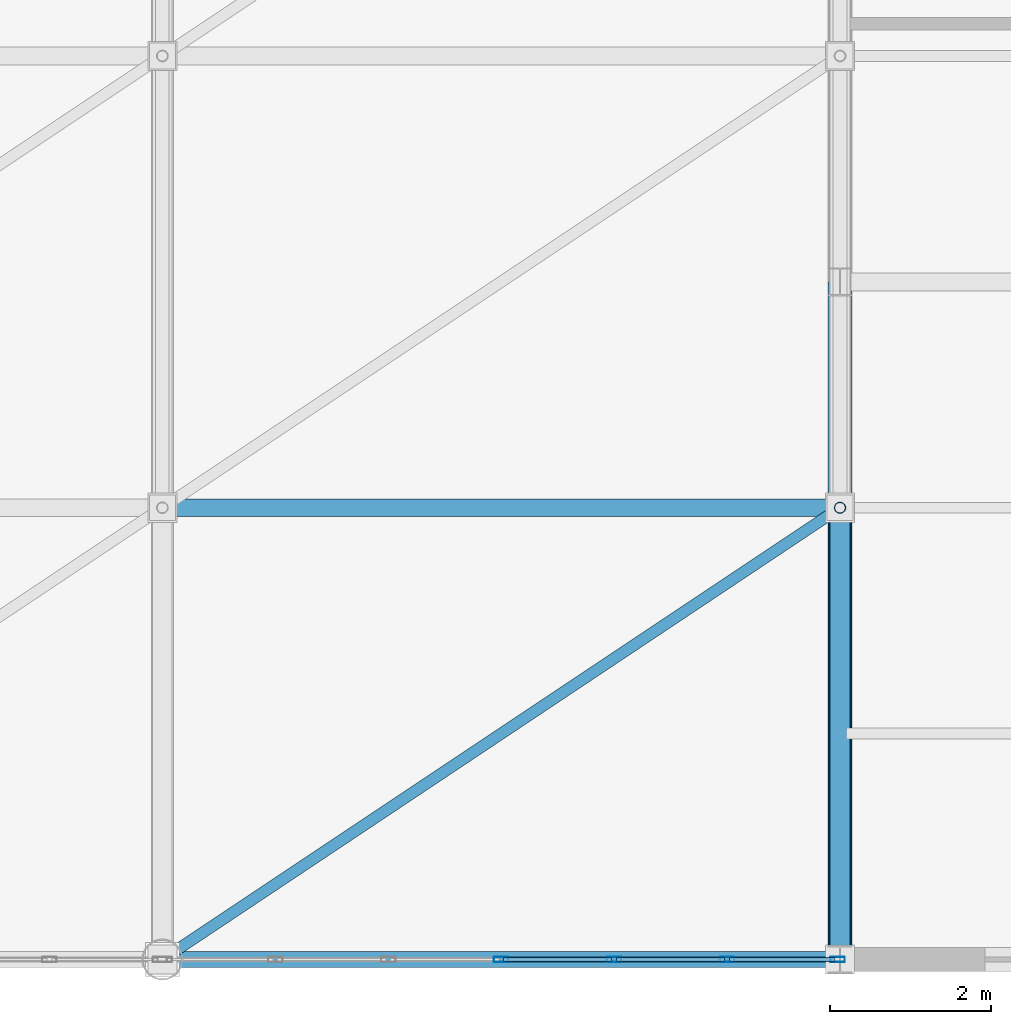
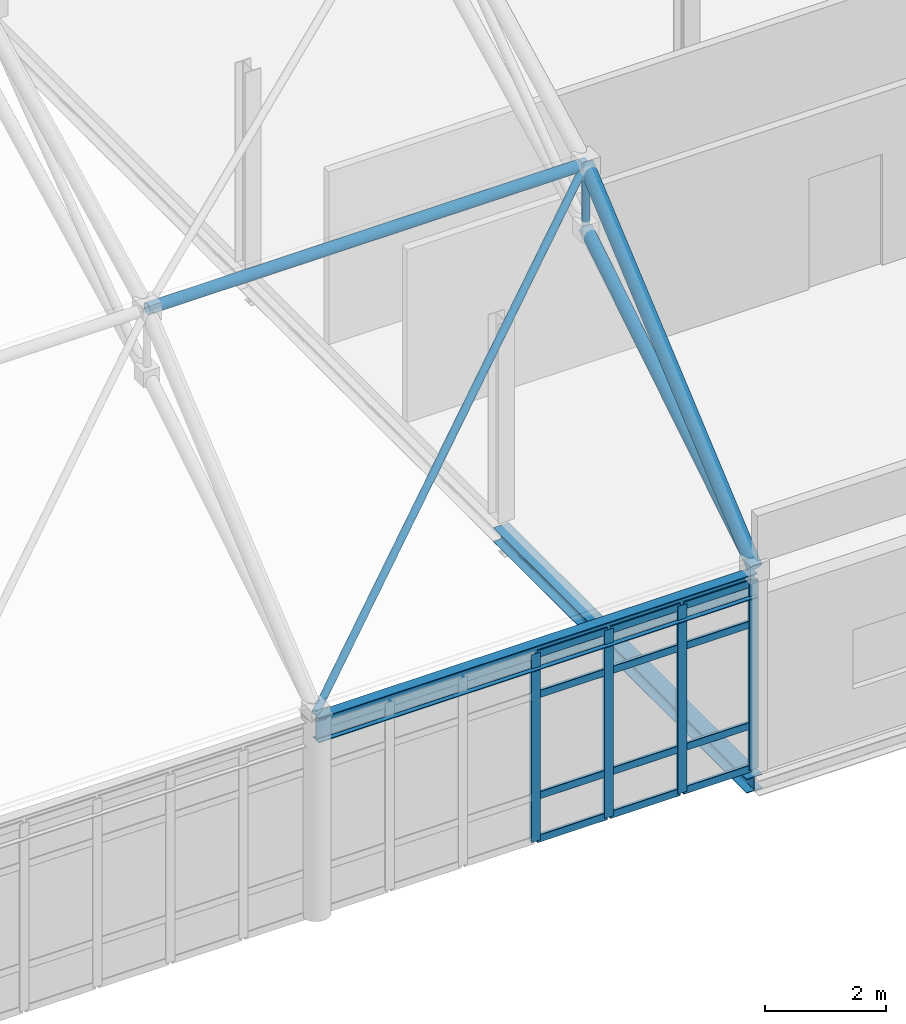
# One storey, part 81 of 184: 21 members, 2 beams, 1 element without a shape of its own.
"""IFC4 building model written with IfcOpenShell, lengths in metres."""

from ifc_helpers import new_model, si_unit, direction, frame, origin, origin_2d, place, context, subcontext, project, spatial, hollow_rectangle, hollow_circle, i_section, extrude, material, layer, layer_set, material_profile, profile_set, type_object, element, aggregate, save


model = new_model("IFC4")

# Units and contexts
model_context = context("Model", 3, precision=1e-05, world=origin(), true_north=direction((0.0, 1.0)))
body_context = subcontext(model_context, "Body", "Model", "MODEL_VIEW")
ifc_project = project(units=[si_unit("LENGTHUNIT", "METRE"), si_unit("AREAUNIT", "SQUARE_METRE"), si_unit("VOLUMEUNIT", "CUBIC_METRE"), si_unit("PLANEANGLEUNIT", "RADIAN"), si_unit("MASSUNIT", "GRAM", prefix="KILO")], contexts=[model_context])

# Site, building, storey
site_placement = place(None, origin())
site = spatial("IfcSite", under=ifc_project, at=site_placement, CompositionType="ELEMENT")
building_placement = place(site_placement, origin())
building = spatial("IfcBuilding", under=site, at=building_placement, Name="Qalvenar Corner Mobility Hub", CompositionType="ELEMENT")
storey_placement = place(building_placement, frame((0.0, 0.0, 9.0)))
storey = spatial("IfcBuildingStorey", under=building, at=storey_placement, Name="L02", CompositionType="ELEMENT", Elevation=9.0)

# Beams
ifc_material_1 = material(Name="Steel S355", Category="steel")
ifc_material_profile_1 = material_profile(ifc_material_1, i_section(OverallWidth=0.199951171875, OverallDepth=0.5, WebThickness=0.01025390625, FlangeThickness=0.01611328125, FilletRadius=0.02099609375, at=origin_2d()), Name="IPE500")
ifc_profile_set_1 = profile_set([ifc_material_profile_1], Name="Steel S355")
beam_type_1 = type_object("IfcBeamType", Name="BM-IPE500", PredefinedType="BEAM", material=ifc_profile_set_1)
beam_1_placement = place(storey_placement, frame((100.800048828125, 0.0, 3.75), z_axis=(1.0, 0.0, 0.0), x_axis=(0.0, 1.0, 0.0)))
element("IfcBeam", 1, at=beam_1_placement, inside=storey, type_object=beam_type_1, Name="Space Frame Ring Beam SFRB-7-0", PredefinedType="BEAM", context=body_context, shape_type="SweptSolid", body=[
    extrude(i_section(OverallWidth=0.199951171875, OverallDepth=0.5, WebThickness=0.01025390625, FlangeThickness=0.01611328125, FilletRadius=0.02099609375, at=origin_2d()), origin(), (0.0, 0.0, 1.0), 8.39990234375),
])
ifc_material_profile_2 = material_profile(ifc_material_1, i_section(OverallWidth=0.300048828125, OverallDepth=0.2900390625, WebThickness=0.008544921875, FlangeThickness=0.013916015625, FilletRadius=0.027099609375, at=origin_2d()), Name="HEA300")
ifc_profile_set_2 = profile_set([ifc_material_profile_2], Name="Steel S355")
beam_type_2 = type_object("IfcBeamType", Name="BM-SPN300", PredefinedType="SPANDREL", material=ifc_profile_set_2)
beam_2_placement = place(storey_placement, frame((109.199951171875, 0.0, -0.324951171875), z_axis=(0.0, 1.0, 0.0), x_axis=(-1.0, 0.0, 0.0)))
element("IfcBeam", 2, at=beam_2_placement, inside=storey, type_object=beam_type_2, Name="Primary Steel Girder GY-1711", PredefinedType="SPANDREL", context=body_context, shape_type="SweptSolid", body=[
    extrude(i_section(OverallWidth=0.300048828125, OverallDepth=0.2900390625, WebThickness=0.008544921875, FlangeThickness=0.013916015625, FilletRadius=0.027099609375, at=origin_2d()), origin(), (0.0, 0.0, 1.0), 8.39990234375),
])

# Curtain wall, members
ifc_material_2 = material(Name="Anodised Aluminium and Low-E Glazing", Category="aluminium")
ifc_layer = layer(ifc_material_2, 0.179931640625)
ifc_layer_set = layer_set([ifc_layer], Name="Anodised Aluminium and Low-E Glazing")
curtain_wall_type = type_object("IfcCurtainWallType", Name="CW-CONC-84X42", PredefinedType="NOTDEFINED", material=ifc_layer_set)
curtain_wall_placement = place(storey_placement, origin())
curtain_wall = element("IfcCurtainWall", 3, at=curtain_wall_placement, inside=storey, type_object=curtain_wall_type, Name="Glazed Curtain Wall CW-V1-L02-S6", PredefinedType="NOTDEFINED")
ifc_material_3 = material(Name="Anodised Aluminium 6063-T6", Category="aluminium")
ifc_material_profile_3 = material_profile(ifc_material_3, hollow_rectangle(XDim=0.06494140625, YDim=0.179931640625, WallThickness=0.00390625, InnerFilletRadius=0.00390625, OuterFilletRadius=0.008056640625, at=origin_2d()), Name="RHS180x65x4")
ifc_profile_set_3 = profile_set([ifc_material_profile_3], Name="Anodised Aluminium 6063-T6")
member_type_1 = type_object("IfcMemberType", Name="CW-MUL180", PredefinedType="MULLION", material=ifc_profile_set_3)
member_1_placement = place(storey_placement, frame((105.0, 0.0, 0.0), z_axis=(0.0, 0.0, 1.0), x_axis=(0.0, 1.0, 0.0)))
member_1 = element("IfcMember", 4, at=member_1_placement, type_object=member_type_1, Name="CW-02 mullion 4", PredefinedType="MULLION", context=body_context, shape_type="SweptSolid", body=[
    extrude(hollow_rectangle(XDim=0.06494140625, YDim=0.179931640625, WallThickness=0.00390625, InnerFilletRadius=0.00390625, OuterFilletRadius=0.008056640625, at=origin_2d()), origin(), (0.0, 0.0, 1.0), 3.800048828125),
])
member_2_placement = place(storey_placement, frame((106.39990234375, 0.0, 0.0), z_axis=(0.0, 0.0, 1.0), x_axis=(0.0, 1.0, 0.0)))
member_2 = element("IfcMember", 5, at=member_2_placement, type_object=member_type_1, Name="CW-02 mullion 5", PredefinedType="MULLION", context=body_context, shape_type="SweptSolid", body=[
    extrude(hollow_rectangle(XDim=0.06494140625, YDim=0.179931640625, WallThickness=0.00390625, InnerFilletRadius=0.00390625, OuterFilletRadius=0.008056640625, at=origin_2d()), origin(), (0.0, 0.0, 1.0), 3.800048828125),
])
member_3_placement = place(storey_placement, frame((107.800048828125, 0.0, 0.0), z_axis=(0.0, 0.0, 1.0), x_axis=(0.0, 1.0, 0.0)))
member_3 = element("IfcMember", 6, at=member_3_placement, type_object=member_type_1, Name="CW-02 mullion 6", PredefinedType="MULLION", context=body_context, shape_type="SweptSolid", body=[
    extrude(hollow_rectangle(XDim=0.06494140625, YDim=0.179931640625, WallThickness=0.00390625, InnerFilletRadius=0.00390625, OuterFilletRadius=0.008056640625, at=origin_2d()), origin(), (0.0, 0.0, 1.0), 3.800048828125),
])
member_4_placement = place(storey_placement, frame((109.169921875, 0.0, 0.0), z_axis=(0.0, 0.0, 1.0), x_axis=(0.0, 1.0, 0.0)))
member_4 = element("IfcMember", 7, at=member_4_placement, type_object=member_type_1, Name="CW-02 mullion 7", PredefinedType="MULLION", context=body_context, shape_type="SweptSolid", body=[
    extrude(hollow_rectangle(XDim=0.06494140625, YDim=0.179931640625, WallThickness=0.00390625, InnerFilletRadius=0.00390625, OuterFilletRadius=0.008056640625, at=origin_2d()), origin(), (0.0, 0.0, 1.0), 3.800048828125),
])
ifc_material_profile_4 = material_profile(ifc_material_3, hollow_rectangle(XDim=0.06005859375, YDim=0.14990234375, WallThickness=0.00341796875, InnerFilletRadius=0.00341796875, OuterFilletRadius=0.007080078125, at=origin_2d()), Name="RHS150x60x3.5")
ifc_profile_set_4 = profile_set([ifc_material_profile_4], Name="Anodised Aluminium 6063-T6")
member_type_2 = type_object("IfcMemberType", Name="CW-TRN150", PredefinedType="USERDEFINED", material=ifc_profile_set_4)
member_5_placement = place(storey_placement, frame((105.030029296875, 0.0, 0.027587890625), z_axis=(1.0, 0.0, 0.0), x_axis=(0.0, 1.0, 0.0)))
member_5 = element("IfcMember", 8, at=member_5_placement, type_object=member_type_2, Name="CW-02 transom 4.1", ObjectType="TRANSOM", PredefinedType="USERDEFINED", context=body_context, shape_type="SweptSolid", body=[
    extrude(hollow_rectangle(XDim=0.06005859375, YDim=0.14990234375, WallThickness=0.00341796875, InnerFilletRadius=0.00341796875, OuterFilletRadius=0.007080078125, at=origin_2d()), origin(), (0.0, 0.0, 1.0), 1.340087890625),
])
member_6_placement = place(storey_placement, frame((105.030029296875, 0.0, 0.89990234375), z_axis=(1.0, 0.0, 0.0), x_axis=(0.0, 1.0, 0.0)))
member_6 = element("IfcMember", 9, at=member_6_placement, type_object=member_type_2, Name="CW-02 transom 4.2", ObjectType="TRANSOM", PredefinedType="USERDEFINED", context=body_context, shape_type="SweptSolid", body=[
    extrude(hollow_rectangle(XDim=0.06005859375, YDim=0.14990234375, WallThickness=0.00341796875, InnerFilletRadius=0.00341796875, OuterFilletRadius=0.007080078125, at=origin_2d()), origin(), (0.0, 0.0, 1.0), 1.340087890625),
])
member_7_placement = place(storey_placement, frame((105.030029296875, 0.0, 2.949951171875), z_axis=(1.0, 0.0, 0.0), x_axis=(0.0, 1.0, 0.0)))
member_7 = element("IfcMember", 10, at=member_7_placement, type_object=member_type_2, Name="CW-02 transom 4.3", ObjectType="TRANSOM", PredefinedType="USERDEFINED", context=body_context, shape_type="SweptSolid", body=[
    extrude(hollow_rectangle(XDim=0.06005859375, YDim=0.14990234375, WallThickness=0.00341796875, InnerFilletRadius=0.00341796875, OuterFilletRadius=0.007080078125, at=origin_2d()), origin(), (0.0, 0.0, 1.0), 1.340087890625),
])
member_8_placement = place(storey_placement, frame((105.030029296875, 0.0, 3.7724609375), z_axis=(1.0, 0.0, 0.0), x_axis=(0.0, 1.0, 0.0)))
member_8 = element("IfcMember", 11, at=member_8_placement, type_object=member_type_2, Name="CW-02 transom 4.4", ObjectType="TRANSOM", PredefinedType="USERDEFINED", context=body_context, shape_type="SweptSolid", body=[
    extrude(hollow_rectangle(XDim=0.06005859375, YDim=0.14990234375, WallThickness=0.00341796875, InnerFilletRadius=0.00341796875, OuterFilletRadius=0.007080078125, at=origin_2d()), origin(), (0.0, 0.0, 1.0), 1.340087890625),
])
member_9_placement = place(storey_placement, frame((106.429931640625, 0.0, 0.027587890625), z_axis=(1.0, 0.0, 0.0), x_axis=(0.0, 1.0, 0.0)))
member_9 = element("IfcMember", 12, at=member_9_placement, type_object=member_type_2, Name="CW-02 transom 5.1", ObjectType="TRANSOM", PredefinedType="USERDEFINED", context=body_context, shape_type="SweptSolid", body=[
    extrude(hollow_rectangle(XDim=0.06005859375, YDim=0.14990234375, WallThickness=0.00341796875, InnerFilletRadius=0.00341796875, OuterFilletRadius=0.007080078125, at=origin_2d()), origin(), (0.0, 0.0, 1.0), 1.340087890625),
])
member_10_placement = place(storey_placement, frame((106.429931640625, 0.0, 0.89990234375), z_axis=(1.0, 0.0, 0.0), x_axis=(0.0, 1.0, 0.0)))
member_10 = element("IfcMember", 13, at=member_10_placement, type_object=member_type_2, Name="CW-02 transom 5.2", ObjectType="TRANSOM", PredefinedType="USERDEFINED", context=body_context, shape_type="SweptSolid", body=[
    extrude(hollow_rectangle(XDim=0.06005859375, YDim=0.14990234375, WallThickness=0.00341796875, InnerFilletRadius=0.00341796875, OuterFilletRadius=0.007080078125, at=origin_2d()), origin(), (0.0, 0.0, 1.0), 1.340087890625),
])
member_11_placement = place(storey_placement, frame((106.429931640625, 0.0, 2.949951171875), z_axis=(1.0, 0.0, 0.0), x_axis=(0.0, 1.0, 0.0)))
member_11 = element("IfcMember", 14, at=member_11_placement, type_object=member_type_2, Name="CW-02 transom 5.3", ObjectType="TRANSOM", PredefinedType="USERDEFINED", context=body_context, shape_type="SweptSolid", body=[
    extrude(hollow_rectangle(XDim=0.06005859375, YDim=0.14990234375, WallThickness=0.00341796875, InnerFilletRadius=0.00341796875, OuterFilletRadius=0.007080078125, at=origin_2d()), origin(), (0.0, 0.0, 1.0), 1.340087890625),
])
member_12_placement = place(storey_placement, frame((106.429931640625, 0.0, 3.7724609375), z_axis=(1.0, 0.0, 0.0), x_axis=(0.0, 1.0, 0.0)))
member_12 = element("IfcMember", 15, at=member_12_placement, type_object=member_type_2, Name="CW-02 transom 5.4", ObjectType="TRANSOM", PredefinedType="USERDEFINED", context=body_context, shape_type="SweptSolid", body=[
    extrude(hollow_rectangle(XDim=0.06005859375, YDim=0.14990234375, WallThickness=0.00341796875, InnerFilletRadius=0.00341796875, OuterFilletRadius=0.007080078125, at=origin_2d()), origin(), (0.0, 0.0, 1.0), 1.340087890625),
])
member_13_placement = place(storey_placement, frame((107.830078125, 0.0, 0.027587890625), z_axis=(1.0, 0.0, 0.0), x_axis=(0.0, 1.0, 0.0)))
member_13 = element("IfcMember", 16, at=member_13_placement, type_object=member_type_2, Name="CW-02 transom 6.1", ObjectType="TRANSOM", PredefinedType="USERDEFINED", context=body_context, shape_type="SweptSolid", body=[
    extrude(hollow_rectangle(XDim=0.06005859375, YDim=0.14990234375, WallThickness=0.00341796875, InnerFilletRadius=0.00341796875, OuterFilletRadius=0.007080078125, at=origin_2d()), origin(), (0.0, 0.0, 1.0), 1.309814453125),
])
member_14_placement = place(storey_placement, frame((107.830078125, 0.0, 0.89990234375), z_axis=(1.0, 0.0, 0.0), x_axis=(0.0, 1.0, 0.0)))
member_14 = element("IfcMember", 17, at=member_14_placement, type_object=member_type_2, Name="CW-02 transom 6.2", ObjectType="TRANSOM", PredefinedType="USERDEFINED", context=body_context, shape_type="SweptSolid", body=[
    extrude(hollow_rectangle(XDim=0.06005859375, YDim=0.14990234375, WallThickness=0.00341796875, InnerFilletRadius=0.00341796875, OuterFilletRadius=0.007080078125, at=origin_2d()), origin(), (0.0, 0.0, 1.0), 1.309814453125),
])
member_15_placement = place(storey_placement, frame((107.830078125, 0.0, 2.949951171875), z_axis=(1.0, 0.0, 0.0), x_axis=(0.0, 1.0, 0.0)))
member_15 = element("IfcMember", 18, at=member_15_placement, type_object=member_type_2, Name="CW-02 transom 6.3", ObjectType="TRANSOM", PredefinedType="USERDEFINED", context=body_context, shape_type="SweptSolid", body=[
    extrude(hollow_rectangle(XDim=0.06005859375, YDim=0.14990234375, WallThickness=0.00341796875, InnerFilletRadius=0.00341796875, OuterFilletRadius=0.007080078125, at=origin_2d()), origin(), (0.0, 0.0, 1.0), 1.309814453125),
])
member_16_placement = place(storey_placement, frame((107.830078125, 0.0, 3.7724609375), z_axis=(1.0, 0.0, 0.0), x_axis=(0.0, 1.0, 0.0)))
member_16 = element("IfcMember", 19, at=member_16_placement, type_object=member_type_2, Name="CW-02 transom 6.4", ObjectType="TRANSOM", PredefinedType="USERDEFINED", context=body_context, shape_type="SweptSolid", body=[
    extrude(hollow_rectangle(XDim=0.06005859375, YDim=0.14990234375, WallThickness=0.00341796875, InnerFilletRadius=0.00341796875, OuterFilletRadius=0.007080078125, at=origin_2d()), origin(), (0.0, 0.0, 1.0), 1.309814453125),
])
aggregate(curtain_wall, [member_1, member_2, member_3, member_4, member_5, member_6, member_7, member_8, member_9, member_10, member_11, member_12, member_13, member_14, member_15, member_16])

# Members
ifc_material_4 = material(Name="Steel S355", Category="steel")
ifc_material_profile_5 = material_profile(ifc_material_4, hollow_circle(Radius=0.109619140625, WallThickness=0.008056640625, at=origin_2d()), Name="CHS219.1x8")
ifc_profile_set_5 = profile_set([ifc_material_profile_5], Name="Steel S355")
member_type_3 = type_object("IfcMemberType", Name="SF-CHD219", PredefinedType="CHORD", material=ifc_profile_set_5)
member_17_placement = place(storey_placement, frame((100.800048828125, 5.60009765625, 8.837890625), z_axis=(1.0, 0.0, 0.0), x_axis=(0.0, 1.0, 0.0)))
element("IfcMember", 20, at=member_17_placement, inside=storey, type_object=member_type_3, Name="Space Frame Longitudinal Chord SFL-0235", PredefinedType="CHORD", context=body_context, shape_type="SweptSolid", body=[
    extrude(hollow_circle(Radius=0.109619140625, WallThickness=0.008056640625, at=origin_2d()), origin(), (0.0, 0.0, 1.0), 8.39990234375),
])
ifc_material_profile_6 = material_profile(ifc_material_4, hollow_circle(Radius=0.122314453125, WallThickness=0.0087890625, at=origin_2d()), Name="CHS244.5x8.8")
ifc_profile_set_6 = profile_set([ifc_material_profile_6], Name="Steel S355")
member_type_4 = type_object("IfcMemberType", Name="SF-CHD244", PredefinedType="CHORD", material=ifc_profile_set_6)
member_18_placement = place(storey_placement, frame((109.199951171875, 0.0, 4.06005859375), z_axis=(0.0, 0.849513681623, 0.527566587964), x_axis=(-1.0, 0.0, 0.0)))
element("IfcMember", 21, at=member_18_placement, inside=storey, type_object=member_type_4, Name="Space Frame Bottom Chord SFBC-0149", PredefinedType="CHORD", context=body_context, shape_type="SweptSolid", body=[
    extrude(hollow_circle(Radius=0.122314453125, WallThickness=0.0087890625, at=origin_2d()), origin(), (0.0, 0.0, 1.0), 6.592041015625),
])
ifc_material_profile_7 = material_profile(ifc_material_4, hollow_circle(Radius=0.136474609375, WallThickness=0.010009765625, at=origin_2d()), Name="CHS273x10")
ifc_profile_set_7 = profile_set([ifc_material_profile_7], Name="Steel S355")
member_type_5 = type_object("IfcMemberType", Name="SF-CHD273", PredefinedType="CHORD", material=ifc_profile_set_7)
member_19_placement = place(storey_placement, frame((109.199951171875, 0.0, 4.06005859375), z_axis=(0.0, 0.760748216799, 0.64904710972), x_axis=(-1.0, 0.0, 0.0)))
element("IfcMember", 22, at=member_19_placement, inside=storey, type_object=member_type_5, Name="Space Frame Top Chord SFTC-0148", PredefinedType="CHORD", context=body_context, shape_type="SweptSolid", body=[
    extrude(hollow_circle(Radius=0.136474609375, WallThickness=0.010009765625, at=origin_2d()), origin(), (0.0, 0.0, 1.0), 7.361328125),
])
ifc_material_profile_8 = material_profile(ifc_material_4, hollow_circle(Radius=0.06982421875, WallThickness=0.0048828125, at=origin_2d()), Name="CHS139.7x5")
ifc_profile_set_8 = profile_set([ifc_material_profile_8], Name="Steel S355")
member_type_6 = type_object("IfcMemberType", Name="SF-STR139", PredefinedType="STRUT", material=ifc_profile_set_8)
member_20_placement = place(storey_placement, frame((109.199951171875, 5.60009765625, 7.537841796875), z_axis=(0.0, 0.0, 1.0), x_axis=(1.0, 0.0, 0.0)))
element("IfcMember", 23, at=member_20_placement, inside=storey, type_object=member_type_6, Name="Space Frame King Strut SFV-0164", PredefinedType="STRUT", context=body_context, shape_type="SweptSolid", body=[
    extrude(hollow_circle(Radius=0.06982421875, WallThickness=0.0048828125, at=origin_2d()), origin(), (0.0, 0.0, 1.0), 1.300048828125),
])
member_21_placement = place(storey_placement, frame((100.800048828125, 0.0, 4.06005859375), z_axis=(0.752071189663, 0.50139536559, 0.427775189842), x_axis=(-0.554711357594, 0.832042853317, 0.0)))
element("IfcMember", 24, at=member_21_placement, inside=storey, type_object=member_type_6, Name="Space Frame Plan Strut SFP-0240", PredefinedType="STRUT", context=body_context, shape_type="SweptSolid", body=[
    extrude(hollow_circle(Radius=0.06982421875, WallThickness=0.0048828125, at=origin_2d()), origin(), (0.0, 0.0, 1.0), 11.1689453125),
])

save(model, "model.ifc")
